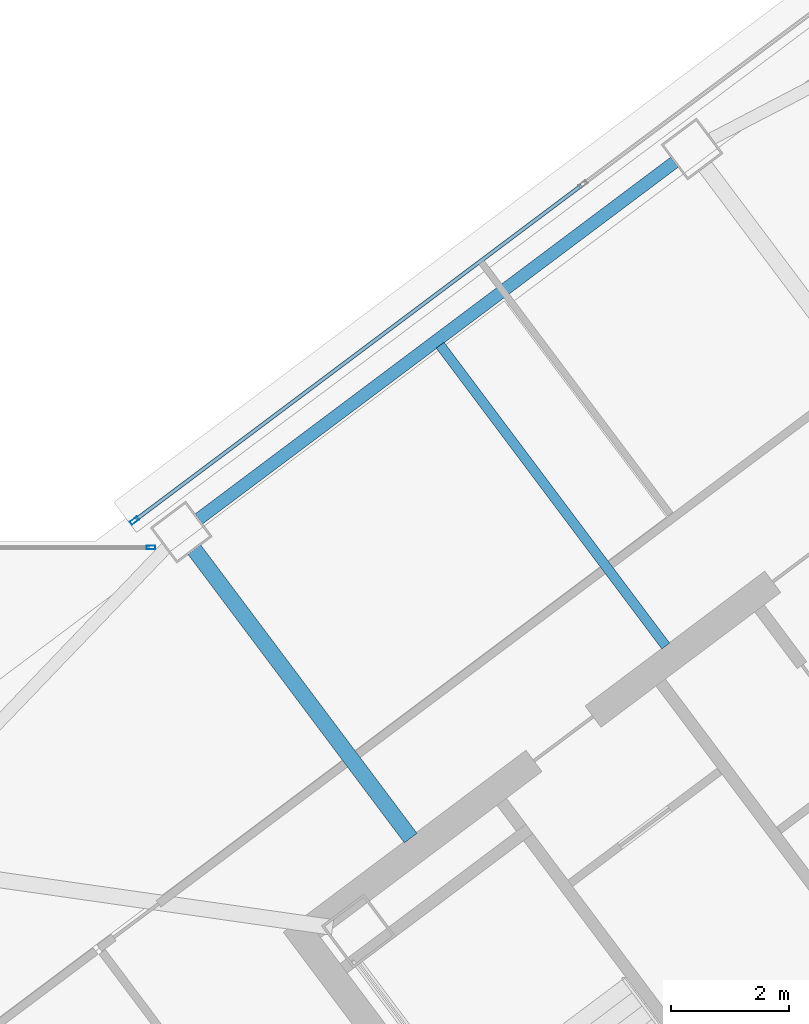
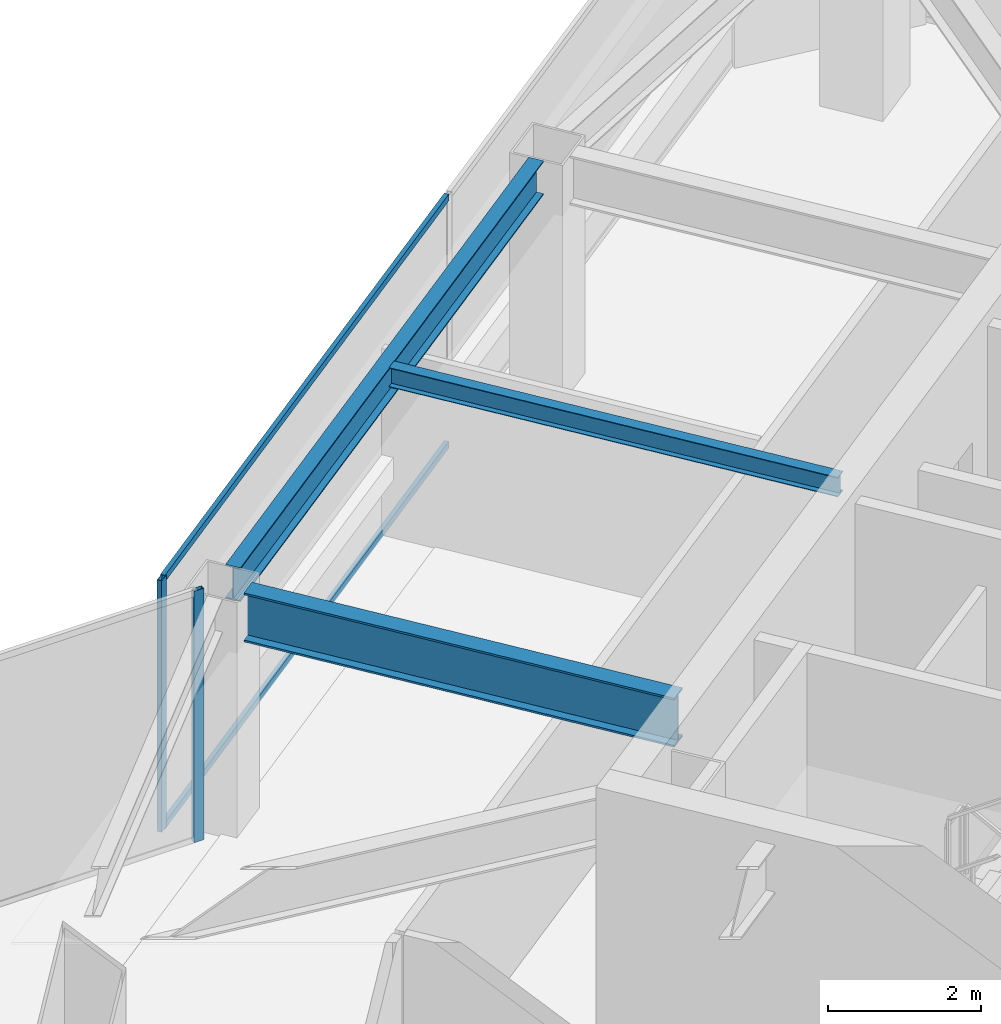
# One storey, part 32 of 51: 4 members, 3 beams, 2 elements without a shape of their own.
"""IFC4 building model written with IfcOpenShell, lengths in metres."""

from ifc_helpers import new_model, si_unit, direction, frame, origin, origin_2d, place, context, subcontext, project, spatial, hollow_rectangle, i_section, extrude, material, material_profile, profile_set, type_object, element, aggregate, save


model = new_model("IFC4")

# Units and contexts
model_context = context("Model", 3, precision=1e-05, world=origin(), true_north=direction((0.0, 1.0)))
body_context = subcontext(model_context, "Body", "Model", "MODEL_VIEW")
ifc_project = project(units=[si_unit("LENGTHUNIT", "METRE"), si_unit("AREAUNIT", "SQUARE_METRE"), si_unit("VOLUMEUNIT", "CUBIC_METRE"), si_unit("PLANEANGLEUNIT", "RADIAN"), si_unit("MASSUNIT", "GRAM", prefix="KILO")], contexts=[model_context])

# Site, building, storey
site_placement = place(None, origin())
site = spatial("IfcSite", under=ifc_project, at=site_placement, CompositionType="ELEMENT")
building_placement = place(site_placement, origin())
building = spatial("IfcBuilding", under=site, at=building_placement, Name="Tashvorn Skyway Center", CompositionType="ELEMENT")
storey_placement = place(building_placement, frame((0.0, 0.0, 251.39990234375)))
storey = spatial("IfcBuildingStorey", under=building, at=storey_placement, Name="L68", CompositionType="ELEMENT", Elevation=251.39990234375)

# Beams
ifc_material_1 = material(Name="Steel ASTM A992 Grade 50", Category="steel")
ifc_material_profile_1 = material_profile(ifc_material_1, i_section(OverallWidth=0.26708984375, OverallDepth=0.779052734375, WebThickness=0.0166015625, FlangeThickness=0.030029296875, at=origin_2d()), Name="W30X148")
ifc_profile_set_1 = profile_set([ifc_material_profile_1], Name="Steel ASTM A992 Grade 50")
beam_type_1 = type_object("IfcBeamType", Name="BM-BEAM-W30X148", PredefinedType="BEAM", material=ifc_profile_set_1)
beam_1_placement = place(storey_placement, frame((101.35205078125, 39.864013671875, 3.390625), z_axis=(0.599980788915, -0.800014407953, 0.0), x_axis=(0.800014407953, 0.599980788915, 0.0)))
element("IfcBeam", 1, at=beam_1_placement, inside=storey, type_object=beam_type_1, Name="Tower 2 L68 Primary Floor Girder FC-N2", PredefinedType="BEAM", context=body_context, shape_type="SweptSolid", body=[
    extrude(i_section(OverallWidth=0.26708984375, OverallDepth=0.779052734375, WebThickness=0.0166015625, FlangeThickness=0.030029296875, at=origin_2d()), origin(), (0.0, 0.0, 1.0), 6.10009765625),
])
ifc_material_profile_2 = material_profile(ifc_material_1, i_section(OverallWidth=0.1650390625, OverallDepth=0.31005859375, WebThickness=0.005859375, FlangeThickness=0.009765625, at=origin_2d()), Name="W12X26")
ifc_profile_set_2 = profile_set([ifc_material_profile_2], Name="Steel ASTM A992 Grade 50")
beam_type_2 = type_object("IfcBeamType", Name="BM-JOIST-W12X26", PredefinedType="JOIST", material=ifc_profile_set_2)
beam_2_placement = place(storey_placement, frame((109.325927734375, 38.23193359375, 3.625), z_axis=(-0.599981581373, 0.800013813639, 0.0), x_axis=(-0.800013813639, -0.599981581373, 0.0)))
element("IfcBeam", 2, at=beam_2_placement, inside=storey, type_object=beam_type_2, Name="Tower 2 L68 Secondary Composite Joist JN", PredefinedType="JOIST", context=body_context, shape_type="SweptSolid", body=[
    extrude(i_section(OverallWidth=0.1650390625, OverallDepth=0.31005859375, WebThickness=0.005859375, FlangeThickness=0.009765625, at=origin_2d()), origin(), (0.0, 0.0, 1.0), 6.362548828125),
])
ifc_material_profile_3 = material_profile(ifc_material_1, i_section(OverallWidth=0.2109375, OverallDepth=0.5390625, WebThickness=0.01171875, FlangeThickness=0.018798828125, at=origin_2d()), Name="W21X73")
ifc_profile_set_3 = profile_set([ifc_material_profile_3], Name="Steel ASTM A992 Grade 50")
beam_type_3 = type_object("IfcBeamType", Name="BM-SPANDREL-W21X73", PredefinedType="SPANDREL", material=ifc_profile_set_3)
beam_3_placement = place(storey_placement, frame((109.47412109375, 46.41796875, 3.510498046875), z_axis=(-0.800008736549, -0.599988351091, 0.0), x_axis=(0.599988351091, -0.800008736549, 0.0)))
element("IfcBeam", 3, at=beam_3_placement, inside=storey, type_object=beam_type_3, Name="Tower 2 L68 Spandrel Beam 08", PredefinedType="SPANDREL", context=body_context, shape_type="SweptSolid", body=[
    extrude(i_section(OverallWidth=0.2109375, OverallDepth=0.5390625, WebThickness=0.01171875, FlangeThickness=0.018798828125, at=origin_2d()), origin(), (0.0, 0.0, 1.0), 10.06005859375),
])

# Curtain wall, member
ifc_material_2 = material(Name="Thermally broken bronze-anodized aluminium 6063-T6", Category="aluminium")
curtain_wall_type = type_object("IfcCurtainWallType", Name="CW-CW-SKY", PredefinedType="NOTDEFINED", material=ifc_material_2)
curtain_wall_1_placement = place(storey_placement, origin())
curtain_wall_1 = element("IfcCurtainWall", 4, at=curtain_wall_1_placement, inside=storey, type_object=curtain_wall_type, Name="Tower 2 L68 North Curtain Wall B", PredefinedType="NOTDEFINED")
ifc_material_profile_4 = material_profile(ifc_material_2, hollow_rectangle(XDim=0.06494140625, YDim=0.14990234375, WallThickness=0.00390625, at=origin_2d()), Name="ALU-MULL-65x150")
ifc_profile_set_4 = profile_set([ifc_material_profile_4], Name="Thermally broken bronze-anodized aluminium 6063-T6")
member_type_1 = type_object("IfcMemberType", Name="CWM-CW-SKY", PredefinedType="MULLION", material=ifc_profile_set_4)
member_1_placement = place(storey_placement, frame((100.337890625, 40.353515625, 0.0), z_axis=(0.0, 0.0, 1.0), x_axis=(-0.600000000002, 0.799999999998, 0.0)))
member_1 = element("IfcMember", 5, at=member_1_placement, type_object=member_type_1, Name="CW-SKY mullion 1", PredefinedType="MULLION", context=body_context, shape_type="SweptSolid", body=[
    extrude(hollow_rectangle(XDim=0.06494140625, YDim=0.14990234375, WallThickness=0.00390625, at=origin_2d()), origin(), (0.0, 0.0, 1.0), 4.0),
])

curtain_wall_2_placement = place(storey_placement, origin())
curtain_wall_2 = element("IfcCurtainWall", 6, at=curtain_wall_2_placement, inside=storey, type_object=curtain_wall_type, Name="Tower 2 L68 Vestibule North Curtain Wall", PredefinedType="NOTDEFINED")
member_2_placement = place(storey_placement, frame((100.617431640625, 39.89990234375, 0.0), z_axis=(0.0, 0.0, 1.0), x_axis=(0.0, 1.0, 0.0)))
member_2 = element("IfcMember", 7, at=member_2_placement, type_object=member_type_1, Name="CW-SKY mullion 2", PredefinedType="MULLION", context=body_context, shape_type="SweptSolid", body=[
    extrude(hollow_rectangle(XDim=0.06494140625, YDim=0.14990234375, WallThickness=0.00390625, at=origin_2d()), origin(), (0.0, 0.0, 1.0), 4.0),
])
aggregate(curtain_wall_2, [member_2])

# Member
ifc_material_profile_5 = material_profile(ifc_material_2, hollow_rectangle(XDim=0.06494140625, YDim=0.10498046875, WallThickness=0.00390625, at=origin_2d()), Name="ALU-TRAN-65x105")
ifc_profile_set_5 = profile_set([ifc_material_profile_5], Name="Thermally broken bronze-anodized aluminium 6063-T6")
member_type_2 = type_object("IfcMemberType", Name="CWT-CW-SKY", PredefinedType="USERDEFINED", material=ifc_profile_set_5)
member_3_placement = place(storey_placement, frame((100.364013671875, 40.373046875, 0.03271484375), z_axis=(0.800003110925, 0.599995852077, 0.0), x_axis=(-0.599995852077, 0.800003110925, 0.0)))
member_3 = element("IfcMember", 8, at=member_3_placement, type_object=member_type_2, Name="CW-SKY transom 1.1", ObjectType="TRANSOM", PredefinedType="USERDEFINED", context=body_context, shape_type="SweptSolid", body=[
    extrude(hollow_rectangle(XDim=0.06494140625, YDim=0.10498046875, WallThickness=0.00390625, at=origin_2d()), origin(), (0.0, 0.0, 1.0), 9.41748046875),
])

member_4_placement = place(storey_placement, frame((100.364013671875, 40.373046875, 3.967529296875), z_axis=(0.800003110925, 0.599995852077, 0.0), x_axis=(-0.599995852077, 0.800003110925, 0.0)))
member_4 = element("IfcMember", 9, at=member_4_placement, type_object=member_type_2, Name="CW-SKY transom 1.2", ObjectType="TRANSOM", PredefinedType="USERDEFINED", context=body_context, shape_type="SweptSolid", body=[
    extrude(hollow_rectangle(XDim=0.06494140625, YDim=0.10498046875, WallThickness=0.00390625, at=origin_2d()), origin(), (0.0, 0.0, 1.0), 9.41748046875),
])

aggregate(curtain_wall_1, [member_1, member_3, member_4])

save(model, "model.ifc")
